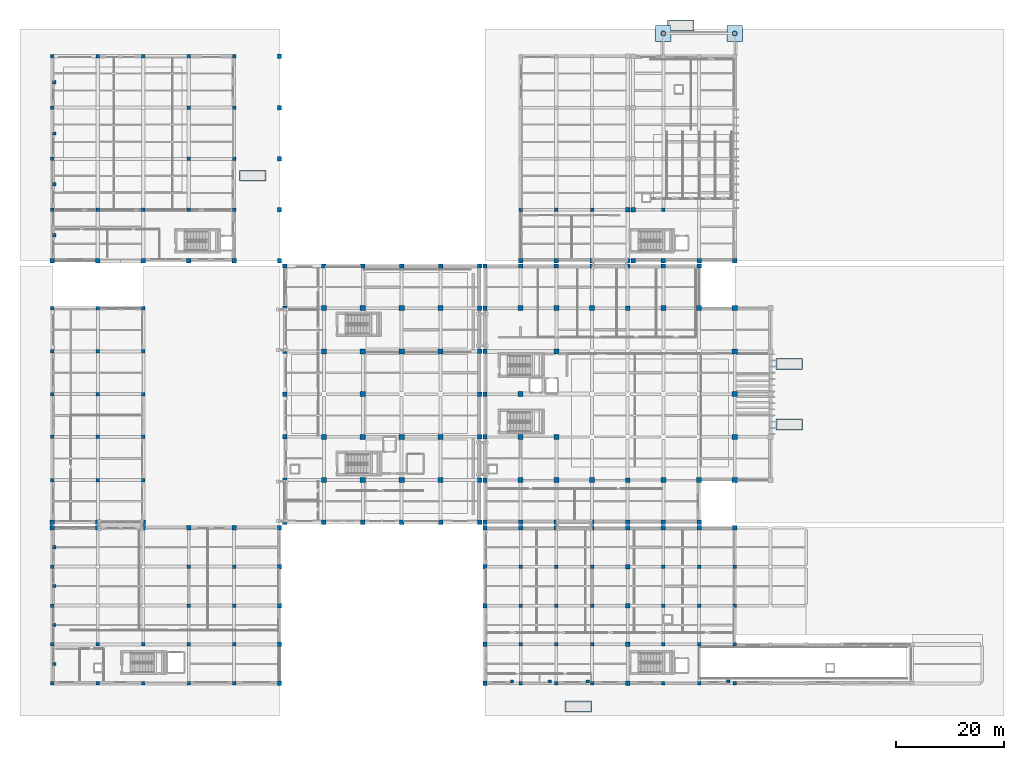
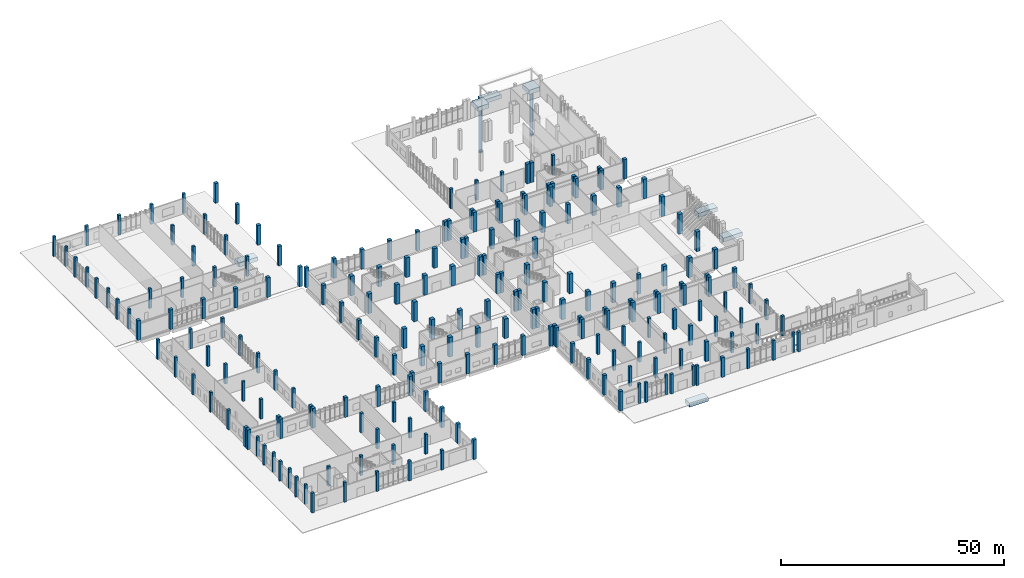
# One storey, part 1 of 79: 215 columns, 7 footings, 2 piles.
"""IFC4 building model written with IfcOpenShell, lengths in metres."""

from ifc_helpers import new_model, si_unit, direction, frame, origin, origin_2d, place, context, subcontext, project, spatial, polyline, rectangle, circle, outline, extrude, material, material_profile, profile_set, type_object, element, save


model = new_model("IFC4")

# Units and contexts
model_context = context("Model", 3, precision=1e-05, world=origin(), true_north=direction((0.0, 1.0)))
body_context = subcontext(model_context, "Body", "Model", "MODEL_VIEW")
ifc_project = project(units=[si_unit("LENGTHUNIT", "METRE"), si_unit("AREAUNIT", "SQUARE_METRE"), si_unit("VOLUMEUNIT", "CUBIC_METRE"), si_unit("PLANEANGLEUNIT", "RADIAN"), si_unit("MASSUNIT", "GRAM", prefix="KILO")], contexts=[model_context])

# Site, building, storey
site_placement = place(None, origin())
site = spatial("IfcSite", under=ifc_project, at=site_placement, CompositionType="ELEMENT")
building_placement = place(site_placement, origin())
building = spatial("IfcBuilding", under=site, at=building_placement, Name="Kelarvand Opera House", CompositionType="ELEMENT")
storey_placement = place(building_placement, origin())
storey = spatial("IfcBuildingStorey", under=building, at=storey_placement, Name="L00", CompositionType="ELEMENT", Elevation=0.0)

# Piles
ifc_material = material(Name="Concrete C40/50", Category="concrete")
ifc_material_profile_1 = material_profile(ifc_material, circle(Radius=0.449951171875, at=origin_2d()), Name="BP 900", Category="concrete")
ifc_profile_set_1 = profile_set([ifc_material_profile_1], Name="Concrete C40/50")
pile_type = type_object("IfcPileType", Name="Bored Pile 900 Concrete C40/50", PredefinedType="BORED", material=ifc_profile_set_1)
for number, where, z_axis, x_axis, name in (
    (1, (122.0, 129.199951171875, -1.10009765625), (0.0, 0.0, -1.0), (1.0, 0.0, 0.0), "V5 Bored Pile 301"),
    (2, (135.199951171875, 129.199951171875, -1.10009765625), (0.0, 0.0, -1.0), (1.0, 0.0, 0.0), "V5 Bored Pile 302"),
):
    element("IfcPile", number, at=place(storey_placement, frame(where, z_axis=z_axis, x_axis=x_axis)), inside=storey, type_object=pile_type, Name=name, PredefinedType="BORED", context=body_context, shape_type="SweptSolid", body=[
        extrude(circle(Radius=0.449951171875, at=origin_2d()), origin(), (0.0, 0.0, 1.0), 12.60009765625),
    ])

# Footings
footing_type_1 = type_object("IfcFootingType", Name="Perimeter Strip Footing 750x900 Concrete C40/50", PredefinedType="STRIP_FOOTING", material=ifc_material)
footing_1_placement = place(storey_placement, frame((0.0, 0.0, -1.260009765625)))
element("IfcFooting", 3, at=footing_1_placement, inside=storey, type_object=footing_type_1, Name="Accessible Ramp Foundation Plinth 1", PredefinedType="STRIP_FOOTING", context=body_context, shape_type="SweptSolid", body=[
    extrude(outline(polyline([(142.800048828125, 55.89990234375), (147.699951171875, 55.89990234375), (147.699951171875, 57.89990234375), (142.800048828125, 57.89990234375), (142.800048828125, 55.89990234375)])), origin(), (0.0, 0.0, 1.0), 1.080078125),
])
footing_2_placement = place(storey_placement, frame((0.0, 0.0, -1.260009765625)))
element("IfcFooting", 4, at=footing_2_placement, inside=storey, type_object=footing_type_1, Name="Accessible Ramp Foundation Plinth 2", PredefinedType="STRIP_FOOTING", context=body_context, shape_type="SweptSolid", body=[
    extrude(outline(polyline([(142.800048828125, 67.10009765625), (147.699951171875, 67.10009765625), (147.699951171875, 69.10009765625), (142.800048828125, 69.10009765625), (142.800048828125, 67.10009765625)])), origin(), (0.0, 0.0, 1.0), 1.080078125),
])
footing_3_placement = place(storey_placement, frame((0.0, 0.0, -1.260009765625)))
element("IfcFooting", 5, at=footing_3_placement, inside=storey, type_object=footing_type_1, Name="Accessible Ramp Foundation Plinth 3", PredefinedType="STRIP_FOOTING", context=body_context, shape_type="SweptSolid", body=[
    extrude(outline(polyline([(122.800048828125, 129.699951171875), (127.699951171875, 129.699951171875), (127.699951171875, 131.699951171875), (122.800048828125, 131.699951171875), (122.800048828125, 129.699951171875)])), origin(), (0.0, 0.0, 1.0), 1.080078125),
])
footing_4_placement = place(storey_placement, frame((0.0, 0.0, -1.260009765625)))
element("IfcFooting", 6, at=footing_4_placement, inside=storey, type_object=footing_type_1, Name="Accessible Ramp Foundation Plinth 4", PredefinedType="STRIP_FOOTING", context=body_context, shape_type="SweptSolid", body=[
    extrude(outline(polyline([(43.60009765625, 101.89990234375), (48.5, 101.89990234375), (48.5, 103.89990234375), (43.60009765625, 103.89990234375), (43.60009765625, 101.89990234375)])), origin(), (0.0, 0.0, 1.0), 1.080078125),
])
footing_5_placement = place(storey_placement, frame((0.0, 0.0, -1.260009765625)))
element("IfcFooting", 7, at=footing_5_placement, inside=storey, type_object=footing_type_1, Name="Accessible Ramp Foundation Plinth 5", PredefinedType="STRIP_FOOTING", context=body_context, shape_type="SweptSolid", body=[
    extrude(outline(polyline([(103.800048828125, 3.699951171875), (108.699951171875, 3.699951171875), (108.699951171875, 5.699951171875), (103.800048828125, 5.699951171875), (103.800048828125, 3.699951171875)])), origin(), (0.0, 0.0, 1.0), 1.080078125),
])
footing_type_2 = type_object("IfcFootingType", Name="Pile Cap 2900x2900x1200 PC-29", PredefinedType="PILE_CAP", material=ifc_material)
for number, where, z_axis, x_axis, name in (
    (8, (122.0, 129.199951171875, -1.2001953125), (0.0, 0.0, 1.0), (1.0, 0.0, 0.0), "V5 Pile Cap PC-29 (276)"),
    (9, (135.199951171875, 129.199951171875, -1.2001953125), (0.0, 0.0, 1.0), (1.0, 0.0, 0.0), "V5 Pile Cap PC-29 (277)"),
):
    element("IfcFooting", number, at=place(storey_placement, frame(where, z_axis=z_axis, x_axis=x_axis)), inside=storey, type_object=footing_type_2, Name=name, PredefinedType="PILE_CAP", context=body_context, shape_type="SweptSolid", body=[
        extrude(rectangle(XDim=2.89990234375, YDim=2.89990234375, at=origin_2d()), origin(), (0.0, 0.0, 1.0), 1.199951171875),
    ])

# Columns
ifc_material_profile_2 = material_profile(ifc_material, rectangle(XDim=0.64990234375, YDim=0.64990234375, at=origin_2d()), Name="RC 650x650", Category="concrete")
ifc_profile_set_2 = profile_set([ifc_material_profile_2], Name="Concrete C40/50")
column_type_1 = type_object("IfcColumnType", Name="Structural Column RC 650x650 (Ext) COL-650E", PredefinedType="COLUMN", material=ifc_profile_set_2)
for number, where, z_axis, x_axis, name in (
    (10, (9.0, 96.60009765625, 0.0), (0.0, 0.0, 1.0), (1.0, 0.0, 0.0), "V3 Column COL-650E at L00"),
    (11, (9.0, 106.0, 0.0), (0.0, 0.0, 1.0), (1.0, 0.0, 0.0), "V3 Column COL-650E at L00"),
    (12, (9.0, 115.5, 0.0), (0.0, 0.0, 1.0), (1.0, 0.0, 0.0), "V3 Column COL-650E at L00"),
    (13, (9.0, 125.0, 0.0), (0.0, 0.0, 1.0), (1.0, 0.0, 0.0), "V3 Column COL-650E at L00"),
    (14, (17.39990234375, 125.0, 0.0), (0.0, 0.0, 1.0), (1.0, 0.0, 0.0), "V3 Column COL-650E at L00"),
    (15, (25.800048828125, 125.0, 0.0), (0.0, 0.0, 1.0), (1.0, 0.0, 0.0), "V3 Column COL-650E at L00"),
    (16, (34.199951171875, 125.0, 0.0), (0.0, 0.0, 1.0), (1.0, 0.0, 0.0), "V3 Column COL-650E at L00"),
    (17, (42.60009765625, 125.0, 0.0), (0.0, 0.0, 1.0), (1.0, 0.0, 0.0), "V3 Column COL-650E at L00"),
    (18, (9.0, 9.0, 0.0), (0.0, 0.0, 1.0), (1.0, 0.0, 0.0), "V4 Column COL-650E at L00"),
    (19, (9.0, 16.199951171875, 0.0), (0.0, 0.0, 1.0), (1.0, 0.0, 0.0), "V4 Column COL-650E at L00"),
    (20, (9.0, 23.39990234375, 0.0), (0.0, 0.0, 1.0), (1.0, 0.0, 0.0), "V4 Column COL-650E at L00"),
    (21, (9.0, 30.60009765625, 0.0), (0.0, 0.0, 1.0), (1.0, 0.0, 0.0), "V4 Column COL-650E at L00"),
    (22, (9.0, 46.60009765625, 0.0), (0.0, 0.0, 1.0), (1.0, 0.0, 0.0), "V4 Column COL-650E at L00"),
    (23, (9.0, 54.60009765625, 0.0), (0.0, 0.0, 1.0), (1.0, 0.0, 0.0), "V4 Column COL-650E at L00"),
    (24, (9.0, 62.5, 0.0), (0.0, 0.0, 1.0), (1.0, 0.0, 0.0), "V4 Column COL-650E at L00"),
    (25, (9.0, 70.39990234375, 0.0), (0.0, 0.0, 1.0), (1.0, 0.0, 0.0), "V4 Column COL-650E at L00"),
    (26, (9.0, 78.39990234375, 0.0), (0.0, 0.0, 1.0), (1.0, 0.0, 0.0), "V4 Column COL-650E at L00"),
    (27, (17.39990234375, 9.0, 0.0), (0.0, 0.0, 1.0), (1.0, 0.0, 0.0), "V4 Column COL-650E at L00"),
    (28, (25.800048828125, 9.0, 0.0), (0.0, 0.0, 1.0), (1.0, 0.0, 0.0), "V4 Column COL-650E at L00"),
    (29, (34.199951171875, 9.0, 0.0), (0.0, 0.0, 1.0), (1.0, 0.0, 0.0), "V4 Column COL-650E at L00"),
    (30, (42.60009765625, 9.0, 0.0), (0.0, 0.0, 1.0), (1.0, 0.0, 0.0), "V4 Column COL-650E at L00"),
    (31, (95.60009765625, 96.60009765625, 0.0), (0.0, 0.0, 1.0), (1.0, 0.0, 0.0), "V5 Column COL-650E at L00"),
    (32, (95.60009765625, 9.0, 0.0), (0.0, 0.0, 1.0), (1.0, 0.0, 0.0), "V6 Column COL-650E at L00"),
    (33, (102.199951171875, 9.0, 0.0), (0.0, 0.0, 1.0), (1.0, 0.0, 0.0), "V6 Column COL-650E at L00"),
    (34, (108.800048828125, 9.0, 0.0), (0.0, 0.0, 1.0), (1.0, 0.0, 0.0), "V6 Column COL-650E at L00"),
    (35, (122.0, 9.0, 0.0), (0.0, 0.0, 1.0), (1.0, 0.0, 0.0), "V6 Column COL-650E at L00"),
    (36, (128.60009765625, 9.0, 0.0), (0.0, 0.0, 1.0), (1.0, 0.0, 0.0), "V6 Column COL-650E at L00"),
    (37, (135.199951171875, 9.0, 0.0), (0.0, 0.0, 1.0), (1.0, 0.0, 0.0), "V6 Column COL-650E at L00"),
):
    element("IfcColumn", number, at=place(storey_placement, frame(where, z_axis=z_axis, x_axis=x_axis)), inside=storey, type_object=column_type_1, Name=name, PredefinedType="COLUMN", context=body_context, shape_type="SweptSolid", body=[
        extrude(rectangle(XDim=0.64990234375, YDim=0.64990234375, at=origin_2d()), origin(), (0.0, 0.0, 1.0), 5.39990234375),
    ])
ifc_material_profile_3 = material_profile(ifc_material, rectangle(XDim=0.64990234375, YDim=0.64990234375, at=origin_2d()), Name="RC 650x650", Category="concrete")
ifc_profile_set_3 = profile_set([ifc_material_profile_3], Name="Concrete C40/50")
column_type_2 = type_object("IfcColumnType", Name="Structural Column RC 650x650 (Int) COL-650", PredefinedType="COLUMN", material=ifc_profile_set_3)
for number, where, z_axis, x_axis, name in (
    (38, (17.39990234375, 96.60009765625, 0.0), (0.0, 0.0, 1.0), (1.0, 0.0, 0.0), "V3 Column COL-650 at L00"),
    (39, (25.800048828125, 96.60009765625, 0.0), (0.0, 0.0, 1.0), (1.0, 0.0, 0.0), "V3 Column COL-650 at L00"),
    (40, (34.199951171875, 96.60009765625, 0.0), (0.0, 0.0, 1.0), (1.0, 0.0, 0.0), "V3 Column COL-650 at L00"),
    (41, (34.199951171875, 106.0, 0.0), (0.0, 0.0, 1.0), (1.0, 0.0, 0.0), "V3 Column COL-650 at L00"),
    (42, (34.199951171875, 115.5, 0.0), (0.0, 0.0, 1.0), (1.0, 0.0, 0.0), "V3 Column COL-650 at L00"),
    (43, (42.60009765625, 96.60009765625, 0.0), (0.0, 0.0, 1.0), (1.0, 0.0, 0.0), "V3 Column COL-650 at L00"),
    (44, (42.60009765625, 106.0, 0.0), (0.0, 0.0, 1.0), (1.0, 0.0, 0.0), "V3 Column COL-650 at L00"),
    (45, (42.60009765625, 115.5, 0.0), (0.0, 0.0, 1.0), (1.0, 0.0, 0.0), "V3 Column COL-650 at L00"),
    (46, (17.39990234375, 16.199951171875, 0.0), (0.0, 0.0, 1.0), (1.0, 0.0, 0.0), "V4 Column COL-650 at L00"),
    (47, (17.39990234375, 46.60009765625, 0.0), (0.0, 0.0, 1.0), (1.0, 0.0, 0.0), "V4 Column COL-650 at L00"),
    (48, (17.39990234375, 54.60009765625, 0.0), (0.0, 0.0, 1.0), (1.0, 0.0, 0.0), "V4 Column COL-650 at L00"),
    (49, (17.39990234375, 62.5, 0.0), (0.0, 0.0, 1.0), (1.0, 0.0, 0.0), "V4 Column COL-650 at L00"),
    (50, (17.39990234375, 70.39990234375, 0.0), (0.0, 0.0, 1.0), (1.0, 0.0, 0.0), "V4 Column COL-650 at L00"),
    (51, (17.39990234375, 78.39990234375, 0.0), (0.0, 0.0, 1.0), (1.0, 0.0, 0.0), "V4 Column COL-650 at L00"),
    (52, (25.800048828125, 16.199951171875, 0.0), (0.0, 0.0, 1.0), (1.0, 0.0, 0.0), "V4 Column COL-650 at L00"),
    (53, (25.800048828125, 46.60009765625, 0.0), (0.0, 0.0, 1.0), (1.0, 0.0, 0.0), "V4 Column COL-650 at L00"),
    (54, (25.800048828125, 54.60009765625, 0.0), (0.0, 0.0, 1.0), (1.0, 0.0, 0.0), "V4 Column COL-650 at L00"),
    (55, (25.800048828125, 62.5, 0.0), (0.0, 0.0, 1.0), (1.0, 0.0, 0.0), "V4 Column COL-650 at L00"),
    (56, (25.800048828125, 70.39990234375, 0.0), (0.0, 0.0, 1.0), (1.0, 0.0, 0.0), "V4 Column COL-650 at L00"),
    (57, (25.800048828125, 78.39990234375, 0.0), (0.0, 0.0, 1.0), (1.0, 0.0, 0.0), "V4 Column COL-650 at L00"),
    (58, (34.199951171875, 16.199951171875, 0.0), (0.0, 0.0, 1.0), (1.0, 0.0, 0.0), "V4 Column COL-650 at L00"),
    (59, (34.199951171875, 23.39990234375, 0.0), (0.0, 0.0, 1.0), (1.0, 0.0, 0.0), "V4 Column COL-650 at L00"),
    (60, (34.199951171875, 30.60009765625, 0.0), (0.0, 0.0, 1.0), (1.0, 0.0, 0.0), "V4 Column COL-650 at L00"),
    (61, (42.60009765625, 16.199951171875, 0.0), (0.0, 0.0, 1.0), (1.0, 0.0, 0.0), "V4 Column COL-650 at L00"),
    (62, (42.60009765625, 23.39990234375, 0.0), (0.0, 0.0, 1.0), (1.0, 0.0, 0.0), "V4 Column COL-650 at L00"),
    (63, (42.60009765625, 30.60009765625, 0.0), (0.0, 0.0, 1.0), (1.0, 0.0, 0.0), "V4 Column COL-650 at L00"),
    (64, (102.199951171875, 96.60009765625, 0.0), (0.0, 0.0, 1.0), (1.0, 0.0, 0.0), "V5 Column COL-650 at L00"),
    (65, (108.800048828125, 96.60009765625, 0.0), (0.0, 0.0, 1.0), (1.0, 0.0, 0.0), "V5 Column COL-650 at L00"),
    (66, (122.0, 96.60009765625, 0.0), (0.0, 0.0, 1.0), (1.0, 0.0, 0.0), "V5 Column COL-650 at L00"),
    (67, (95.60009765625, 16.199951171875, 0.0), (0.0, 0.0, 1.0), (1.0, 0.0, 0.0), "V6 Column COL-650 at L00"),
    (68, (95.60009765625, 23.39990234375, 0.0), (0.0, 0.0, 1.0), (1.0, 0.0, 0.0), "V6 Column COL-650 at L00"),
    (69, (95.60009765625, 30.60009765625, 0.0), (0.0, 0.0, 1.0), (1.0, 0.0, 0.0), "V6 Column COL-650 at L00"),
    (70, (102.199951171875, 16.199951171875, 0.0), (0.0, 0.0, 1.0), (1.0, 0.0, 0.0), "V6 Column COL-650 at L00"),
    (71, (102.199951171875, 23.39990234375, 0.0), (0.0, 0.0, 1.0), (1.0, 0.0, 0.0), "V6 Column COL-650 at L00"),
    (72, (102.199951171875, 30.60009765625, 0.0), (0.0, 0.0, 1.0), (1.0, 0.0, 0.0), "V6 Column COL-650 at L00"),
    (73, (108.800048828125, 16.199951171875, 0.0), (0.0, 0.0, 1.0), (1.0, 0.0, 0.0), "V6 Column COL-650 at L00"),
    (74, (108.800048828125, 23.39990234375, 0.0), (0.0, 0.0, 1.0), (1.0, 0.0, 0.0), "V6 Column COL-650 at L00"),
    (75, (108.800048828125, 30.60009765625, 0.0), (0.0, 0.0, 1.0), (1.0, 0.0, 0.0), "V6 Column COL-650 at L00"),
    (76, (122.0, 16.199951171875, 0.0), (0.0, 0.0, 1.0), (1.0, 0.0, 0.0), "V6 Column COL-650 at L00"),
    (77, (122.0, 23.39990234375, 0.0), (0.0, 0.0, 1.0), (1.0, 0.0, 0.0), "V6 Column COL-650 at L00"),
    (78, (122.0, 30.60009765625, 0.0), (0.0, 0.0, 1.0), (1.0, 0.0, 0.0), "V6 Column COL-650 at L00"),
    (79, (128.60009765625, 16.199951171875, 0.0), (0.0, 0.0, 1.0), (1.0, 0.0, 0.0), "V6 Column COL-650 at L00"),
    (80, (128.60009765625, 23.39990234375, 0.0), (0.0, 0.0, 1.0), (1.0, 0.0, 0.0), "V6 Column COL-650 at L00"),
    (81, (128.60009765625, 30.60009765625, 0.0), (0.0, 0.0, 1.0), (1.0, 0.0, 0.0), "V6 Column COL-650 at L00"),
    (82, (135.199951171875, 16.199951171875, 0.0), (0.0, 0.0, 1.0), (1.0, 0.0, 0.0), "V6 Column COL-650 at L00"),
    (83, (135.199951171875, 23.39990234375, 0.0), (0.0, 0.0, 1.0), (1.0, 0.0, 0.0), "V6 Column COL-650 at L00"),
    (84, (135.199951171875, 30.60009765625, 0.0), (0.0, 0.0, 1.0), (1.0, 0.0, 0.0), "V6 Column COL-650 at L00"),
):
    element("IfcColumn", number, at=place(storey_placement, frame(where, z_axis=z_axis, x_axis=x_axis)), inside=storey, type_object=column_type_2, Name=name, PredefinedType="COLUMN", context=body_context, shape_type="SweptSolid", body=[
        extrude(rectangle(XDim=0.64990234375, YDim=0.64990234375, at=origin_2d()), origin(), (0.0, 0.0, 1.0), 5.39990234375),
    ])
ifc_material_profile_4 = material_profile(ifc_material, rectangle(XDim=0.820068359375, YDim=0.820068359375, at=origin_2d()), Name="RC 820x820", Category="concrete")
ifc_profile_set_4 = profile_set([ifc_material_profile_4], Name="Concrete C40/50")
column_type_3 = type_object("IfcColumnType", Name="Structural Column RC 820x820 (Int) COL-820", PredefinedType="COLUMN", material=ifc_profile_set_4)
for number, where, z_axis, x_axis, name in (
    (85, (89.0, 38.800048828125, 0.0), (0.0, 0.0, 1.0), (1.0, 0.0, 0.0), "V1 Column COL-820 at L00"),
    (86, (89.0, 46.60009765625, 0.0), (0.0, 0.0, 1.0), (1.0, 0.0, 0.0), "V1 Column COL-820 at L00"),
    (87, (89.0, 54.60009765625, 0.0), (0.0, 0.0, 1.0), (1.0, 0.0, 0.0), "V1 Column COL-820 at L00"),
    (88, (89.0, 62.5, 0.0), (0.0, 0.0, 1.0), (1.0, 0.0, 0.0), "V1 Column COL-820 at L00"),
    (89, (89.0, 70.39990234375, 0.0), (0.0, 0.0, 1.0), (1.0, 0.0, 0.0), "V1 Column COL-820 at L00"),
    (90, (89.0, 78.39990234375, 0.0), (0.0, 0.0, 1.0), (1.0, 0.0, 0.0), "V1 Column COL-820 at L00"),
    (91, (89.0, 86.199951171875, 0.0), (0.0, 0.0, 1.0), (1.0, 0.0, 0.0), "V1 Column COL-820 at L00"),
    (92, (95.60009765625, 38.800048828125, 0.0), (0.0, 0.0, 1.0), (1.0, 0.0, 0.0), "V1 Column COL-820 at L00"),
    (93, (95.60009765625, 86.199951171875, 0.0), (0.0, 0.0, 1.0), (1.0, 0.0, 0.0), "V1 Column COL-820 at L00"),
    (94, (102.199951171875, 38.800048828125, 0.0), (0.0, 0.0, 1.0), (1.0, 0.0, 0.0), "V1 Column COL-820 at L00"),
    (95, (102.199951171875, 86.199951171875, 0.0), (0.0, 0.0, 1.0), (1.0, 0.0, 0.0), "V1 Column COL-820 at L00"),
    (96, (108.800048828125, 38.800048828125, 0.0), (0.0, 0.0, 1.0), (1.0, 0.0, 0.0), "V1 Column COL-820 at L00"),
    (97, (108.800048828125, 86.199951171875, 0.0), (0.0, 0.0, 1.0), (1.0, 0.0, 0.0), "V1 Column COL-820 at L00"),
    (98, (115.39990234375, 38.800048828125, 0.0), (0.0, 0.0, 1.0), (1.0, 0.0, 0.0), "V1 Column COL-820 at L00"),
    (99, (115.39990234375, 46.60009765625, 0.0), (0.0, 0.0, 1.0), (1.0, 0.0, 0.0), "V1 Column COL-820 at L00"),
    (100, (115.39990234375, 78.39990234375, 0.0), (0.0, 0.0, 1.0), (1.0, 0.0, 0.0), "V1 Column COL-820 at L00"),
    (101, (115.39990234375, 86.199951171875, 0.0), (0.0, 0.0, 1.0), (1.0, 0.0, 0.0), "V1 Column COL-820 at L00"),
    (102, (122.0, 38.800048828125, 0.0), (0.0, 0.0, 1.0), (1.0, 0.0, 0.0), "V1 Column COL-820 at L00"),
    (103, (122.0, 86.199951171875, 0.0), (0.0, 0.0, 1.0), (1.0, 0.0, 0.0), "V1 Column COL-820 at L00"),
    (104, (128.60009765625, 38.800048828125, 0.0), (0.0, 0.0, 1.0), (1.0, 0.0, 0.0), "V1 Column COL-820 at L00"),
    (105, (128.60009765625, 86.199951171875, 0.0), (0.0, 0.0, 1.0), (1.0, 0.0, 0.0), "V1 Column COL-820 at L00"),
    (106, (52.0, 38.800048828125, 0.0), (0.0, 0.0, 1.0), (1.0, 0.0, 0.0), "V2 Column COL-820 at L00"),
    (107, (52.0, 46.60009765625, 0.0), (0.0, 0.0, 1.0), (1.0, 0.0, 0.0), "V2 Column COL-820 at L00"),
    (108, (52.0, 54.60009765625, 0.0), (0.0, 0.0, 1.0), (1.0, 0.0, 0.0), "V2 Column COL-820 at L00"),
    (109, (52.0, 62.5, 0.0), (0.0, 0.0, 1.0), (1.0, 0.0, 0.0), "V2 Column COL-820 at L00"),
    (110, (52.0, 70.39990234375, 0.0), (0.0, 0.0, 1.0), (1.0, 0.0, 0.0), "V2 Column COL-820 at L00"),
    (111, (52.0, 78.39990234375, 0.0), (0.0, 0.0, 1.0), (1.0, 0.0, 0.0), "V2 Column COL-820 at L00"),
    (112, (52.0, 86.199951171875, 0.0), (0.0, 0.0, 1.0), (1.0, 0.0, 0.0), "V2 Column COL-820 at L00"),
    (113, (59.199951171875, 38.800048828125, 0.0), (0.0, 0.0, 1.0), (1.0, 0.0, 0.0), "V2 Column COL-820 at L00"),
    (114, (59.199951171875, 86.199951171875, 0.0), (0.0, 0.0, 1.0), (1.0, 0.0, 0.0), "V2 Column COL-820 at L00"),
    (115, (66.39990234375, 38.800048828125, 0.0), (0.0, 0.0, 1.0), (1.0, 0.0, 0.0), "V2 Column COL-820 at L00"),
    (116, (66.39990234375, 86.199951171875, 0.0), (0.0, 0.0, 1.0), (1.0, 0.0, 0.0), "V2 Column COL-820 at L00"),
    (117, (73.60009765625, 38.800048828125, 0.0), (0.0, 0.0, 1.0), (1.0, 0.0, 0.0), "V2 Column COL-820 at L00"),
    (118, (73.60009765625, 86.199951171875, 0.0), (0.0, 0.0, 1.0), (1.0, 0.0, 0.0), "V2 Column COL-820 at L00"),
    (119, (80.800048828125, 38.800048828125, 0.0), (0.0, 0.0, 1.0), (1.0, 0.0, 0.0), "V2 Column COL-820 at L00"),
    (120, (80.800048828125, 86.199951171875, 0.0), (0.0, 0.0, 1.0), (1.0, 0.0, 0.0), "V2 Column COL-820 at L00"),
    (121, (88.0, 38.800048828125, 0.0), (0.0, 0.0, 1.0), (1.0, 0.0, 0.0), "V2 Column COL-820 at L00"),
    (122, (88.0, 46.60009765625, 0.0), (0.0, 0.0, 1.0), (1.0, 0.0, 0.0), "V2 Column COL-820 at L00"),
    (123, (88.0, 54.60009765625, 0.0), (0.0, 0.0, 1.0), (1.0, 0.0, 0.0), "V2 Column COL-820 at L00"),
    (124, (88.0, 62.5, 0.0), (0.0, 0.0, 1.0), (1.0, 0.0, 0.0), "V2 Column COL-820 at L00"),
    (125, (88.0, 70.39990234375, 0.0), (0.0, 0.0, 1.0), (1.0, 0.0, 0.0), "V2 Column COL-820 at L00"),
    (126, (88.0, 78.39990234375, 0.0), (0.0, 0.0, 1.0), (1.0, 0.0, 0.0), "V2 Column COL-820 at L00"),
    (127, (88.0, 86.199951171875, 0.0), (0.0, 0.0, 1.0), (1.0, 0.0, 0.0), "V2 Column COL-820 at L00"),
    (128, (9.0, 87.199951171875, 0.0), (0.0, 0.0, 1.0), (1.0, 0.0, 0.0), "V3 Column COL-820 at L00"),
    (129, (17.39990234375, 87.199951171875, 0.0), (0.0, 0.0, 1.0), (1.0, 0.0, 0.0), "V3 Column COL-820 at L00"),
    (130, (25.800048828125, 87.199951171875, 0.0), (0.0, 0.0, 1.0), (1.0, 0.0, 0.0), "V3 Column COL-820 at L00"),
    (131, (34.199951171875, 87.199951171875, 0.0), (0.0, 0.0, 1.0), (1.0, 0.0, 0.0), "V3 Column COL-820 at L00"),
    (132, (42.60009765625, 87.199951171875, 0.0), (0.0, 0.0, 1.0), (1.0, 0.0, 0.0), "V3 Column COL-820 at L00"),
    (133, (51.0, 87.199951171875, 0.0), (0.0, 0.0, 1.0), (1.0, 0.0, 0.0), "V3 Column COL-820 at L00"),
    (134, (51.0, 96.60009765625, 0.0), (0.0, 0.0, 1.0), (1.0, 0.0, 0.0), "V3 Column COL-820 at L00"),
    (135, (51.0, 106.0, 0.0), (0.0, 0.0, 1.0), (1.0, 0.0, 0.0), "V3 Column COL-820 at L00"),
    (136, (51.0, 115.5, 0.0), (0.0, 0.0, 1.0), (1.0, 0.0, 0.0), "V3 Column COL-820 at L00"),
    (137, (51.0, 125.0, 0.0), (0.0, 0.0, 1.0), (1.0, 0.0, 0.0), "V3 Column COL-820 at L00"),
    (138, (9.0, 37.800048828125, 0.0), (0.0, 0.0, 1.0), (1.0, 0.0, 0.0), "V4 Column COL-820 at L00"),
    (139, (9.0, 38.800048828125, 0.0), (0.0, 0.0, 1.0), (1.0, 0.0, 0.0), "V4 Column COL-820 at L00"),
    (140, (17.39990234375, 37.800048828125, 0.0), (0.0, 0.0, 1.0), (1.0, 0.0, 0.0), "V4 Column COL-820 at L00"),
    (141, (17.39990234375, 38.800048828125, 0.0), (0.0, 0.0, 1.0), (1.0, 0.0, 0.0), "V4 Column COL-820 at L00"),
    (142, (25.800048828125, 37.800048828125, 0.0), (0.0, 0.0, 1.0), (1.0, 0.0, 0.0), "V4 Column COL-820 at L00"),
    (143, (25.800048828125, 38.800048828125, 0.0), (0.0, 0.0, 1.0), (1.0, 0.0, 0.0), "V4 Column COL-820 at L00"),
    (144, (34.199951171875, 37.800048828125, 0.0), (0.0, 0.0, 1.0), (1.0, 0.0, 0.0), "V4 Column COL-820 at L00"),
    (145, (42.60009765625, 37.800048828125, 0.0), (0.0, 0.0, 1.0), (1.0, 0.0, 0.0), "V4 Column COL-820 at L00"),
    (146, (51.0, 9.0, 0.0), (0.0, 0.0, 1.0), (1.0, 0.0, 0.0), "V4 Column COL-820 at L00"),
    (147, (51.0, 16.199951171875, 0.0), (0.0, 0.0, 1.0), (1.0, 0.0, 0.0), "V4 Column COL-820 at L00"),
    (148, (51.0, 23.39990234375, 0.0), (0.0, 0.0, 1.0), (1.0, 0.0, 0.0), "V4 Column COL-820 at L00"),
    (149, (51.0, 30.60009765625, 0.0), (0.0, 0.0, 1.0), (1.0, 0.0, 0.0), "V4 Column COL-820 at L00"),
    (150, (51.0, 37.800048828125, 0.0), (0.0, 0.0, 1.0), (1.0, 0.0, 0.0), "V4 Column COL-820 at L00"),
    (151, (95.60009765625, 87.199951171875, 0.0), (0.0, 0.0, 1.0), (1.0, 0.0, 0.0), "V5 Column COL-820 at L00"),
    (152, (102.199951171875, 87.199951171875, 0.0), (0.0, 0.0, 1.0), (1.0, 0.0, 0.0), "V5 Column COL-820 at L00"),
    (153, (108.800048828125, 87.199951171875, 0.0), (0.0, 0.0, 1.0), (1.0, 0.0, 0.0), "V5 Column COL-820 at L00"),
    (154, (115.39990234375, 87.199951171875, 0.0), (0.0, 0.0, 1.0), (1.0, 0.0, 0.0), "V5 Column COL-820 at L00"),
    (155, (115.39990234375, 96.60009765625, 0.0), (0.0, 0.0, 1.0), (1.0, 0.0, 0.0), "V5 Column COL-820 at L00"),
    (156, (116.39990234375, 87.199951171875, 0.0), (0.0, 0.0, 1.0), (1.0, 0.0, 0.0), "V5 Column COL-820 at L00"),
    (157, (116.39990234375, 96.60009765625, 0.0), (0.0, 0.0, 1.0), (1.0, 0.0, 0.0), "V5 Column COL-820 at L00"),
    (158, (122.0, 87.199951171875, 0.0), (0.0, 0.0, 1.0), (1.0, 0.0, 0.0), "V5 Column COL-820 at L00"),
    (159, (128.60009765625, 87.199951171875, 0.0), (0.0, 0.0, 1.0), (1.0, 0.0, 0.0), "V5 Column COL-820 at L00"),
    (160, (135.199951171875, 87.199951171875, 0.0), (0.0, 0.0, 1.0), (1.0, 0.0, 0.0), "V5 Column COL-820 at L00"),
    (161, (89.0, 9.0, 0.0), (0.0, 0.0, 1.0), (1.0, 0.0, 0.0), "V6 Column COL-820 at L00"),
    (162, (89.0, 16.199951171875, 0.0), (0.0, 0.0, 1.0), (1.0, 0.0, 0.0), "V6 Column COL-820 at L00"),
    (163, (89.0, 23.39990234375, 0.0), (0.0, 0.0, 1.0), (1.0, 0.0, 0.0), "V6 Column COL-820 at L00"),
    (164, (89.0, 30.60009765625, 0.0), (0.0, 0.0, 1.0), (1.0, 0.0, 0.0), "V6 Column COL-820 at L00"),
    (165, (89.0, 37.800048828125, 0.0), (0.0, 0.0, 1.0), (1.0, 0.0, 0.0), "V6 Column COL-820 at L00"),
    (166, (95.60009765625, 37.800048828125, 0.0), (0.0, 0.0, 1.0), (1.0, 0.0, 0.0), "V6 Column COL-820 at L00"),
    (167, (102.199951171875, 37.800048828125, 0.0), (0.0, 0.0, 1.0), (1.0, 0.0, 0.0), "V6 Column COL-820 at L00"),
    (168, (108.800048828125, 37.800048828125, 0.0), (0.0, 0.0, 1.0), (1.0, 0.0, 0.0), "V6 Column COL-820 at L00"),
    (169, (115.39990234375, 9.0, 0.0), (0.0, 0.0, 1.0), (1.0, 0.0, 0.0), "V6 Column COL-820 at L00"),
    (170, (115.39990234375, 16.199951171875, 0.0), (0.0, 0.0, 1.0), (1.0, 0.0, 0.0), "V6 Column COL-820 at L00"),
    (171, (115.39990234375, 23.39990234375, 0.0), (0.0, 0.0, 1.0), (1.0, 0.0, 0.0), "V6 Column COL-820 at L00"),
    (172, (115.39990234375, 30.60009765625, 0.0), (0.0, 0.0, 1.0), (1.0, 0.0, 0.0), "V6 Column COL-820 at L00"),
    (173, (115.39990234375, 37.800048828125, 0.0), (0.0, 0.0, 1.0), (1.0, 0.0, 0.0), "V6 Column COL-820 at L00"),
    (174, (122.0, 37.800048828125, 0.0), (0.0, 0.0, 1.0), (1.0, 0.0, 0.0), "V6 Column COL-820 at L00"),
    (175, (128.60009765625, 37.800048828125, 0.0), (0.0, 0.0, 1.0), (1.0, 0.0, 0.0), "V6 Column COL-820 at L00"),
    (176, (135.199951171875, 37.800048828125, 0.0), (0.0, 0.0, 1.0), (1.0, 0.0, 0.0), "V6 Column COL-820 at L00"),
):
    element("IfcColumn", number, at=place(storey_placement, frame(where, z_axis=z_axis, x_axis=x_axis)), inside=storey, type_object=column_type_3, Name=name, PredefinedType="COLUMN", context=body_context, shape_type="SweptSolid", body=[
        extrude(rectangle(XDim=0.820068359375, YDim=0.820068359375, at=origin_2d()), origin(), (0.0, 0.0, 1.0), 5.39990234375),
    ])
ifc_material_profile_5 = material_profile(ifc_material, rectangle(XDim=0.949951171875, YDim=0.949951171875, at=origin_2d()), Name="RC 950x950", Category="concrete")
ifc_profile_set_5 = profile_set([ifc_material_profile_5], Name="Concrete C40/50")
column_type_4 = type_object("IfcColumnType", Name="Structural Column RC 950x950 (Int) COL-950", PredefinedType="COLUMN", material=ifc_profile_set_5)
for number, where, z_axis, x_axis, name in (
    (177, (95.60009765625, 46.60009765625, 0.0), (0.0, 0.0, 1.0), (1.0, 0.0, 0.0), "V1 Column COL-950 at L00"),
    (178, (95.60009765625, 54.60009765625, 0.0), (0.0, 0.0, 1.0), (1.0, 0.0, 0.0), "V1 Column COL-950 at L00"),
    (179, (95.60009765625, 62.5, 0.0), (0.0, 0.0, 1.0), (1.0, 0.0, 0.0), "V1 Column COL-950 at L00"),
    (180, (95.60009765625, 78.39990234375, 0.0), (0.0, 0.0, 1.0), (1.0, 0.0, 0.0), "V1 Column COL-950 at L00"),
    (181, (102.199951171875, 46.60009765625, 0.0), (0.0, 0.0, 1.0), (1.0, 0.0, 0.0), "V1 Column COL-950 at L00"),
    (182, (102.199951171875, 54.60009765625, 0.0), (0.0, 0.0, 1.0), (1.0, 0.0, 0.0), "V1 Column COL-950 at L00"),
    (183, (102.199951171875, 70.39990234375, 0.0), (0.0, 0.0, 1.0), (1.0, 0.0, 0.0), "V1 Column COL-950 at L00"),
    (184, (102.199951171875, 78.39990234375, 0.0), (0.0, 0.0, 1.0), (1.0, 0.0, 0.0), "V1 Column COL-950 at L00"),
    (185, (108.800048828125, 46.60009765625, 0.0), (0.0, 0.0, 1.0), (1.0, 0.0, 0.0), "V1 Column COL-950 at L00"),
    (186, (108.800048828125, 78.39990234375, 0.0), (0.0, 0.0, 1.0), (1.0, 0.0, 0.0), "V1 Column COL-950 at L00"),
    (187, (122.0, 46.60009765625, 0.0), (0.0, 0.0, 1.0), (1.0, 0.0, 0.0), "V1 Column COL-950 at L00"),
    (188, (122.0, 78.39990234375, 0.0), (0.0, 0.0, 1.0), (1.0, 0.0, 0.0), "V1 Column COL-950 at L00"),
    (189, (128.60009765625, 46.60009765625, 0.0), (0.0, 0.0, 1.0), (1.0, 0.0, 0.0), "V1 Column COL-950 at L00"),
    (190, (128.60009765625, 78.39990234375, 0.0), (0.0, 0.0, 1.0), (1.0, 0.0, 0.0), "V1 Column COL-950 at L00"),
    (191, (135.199951171875, 46.60009765625, 0.0), (0.0, 0.0, 1.0), (1.0, 0.0, 0.0), "V1 Column COL-950 at L00"),
    (192, (135.199951171875, 54.60009765625, 0.0), (0.0, 0.0, 1.0), (1.0, 0.0, 0.0), "V1 Column COL-950 at L00"),
    (193, (135.199951171875, 62.5, 0.0), (0.0, 0.0, 1.0), (1.0, 0.0, 0.0), "V1 Column COL-950 at L00"),
    (194, (135.199951171875, 70.39990234375, 0.0), (0.0, 0.0, 1.0), (1.0, 0.0, 0.0), "V1 Column COL-950 at L00"),
    (195, (135.199951171875, 78.39990234375, 0.0), (0.0, 0.0, 1.0), (1.0, 0.0, 0.0), "V1 Column COL-950 at L00"),
    (196, (59.199951171875, 46.60009765625, 0.0), (0.0, 0.0, 1.0), (1.0, 0.0, 0.0), "V2 Column COL-950 at L00"),
    (197, (59.199951171875, 54.60009765625, 0.0), (0.0, 0.0, 1.0), (1.0, 0.0, 0.0), "V2 Column COL-950 at L00"),
    (198, (59.199951171875, 70.39990234375, 0.0), (0.0, 0.0, 1.0), (1.0, 0.0, 0.0), "V2 Column COL-950 at L00"),
    (199, (59.199951171875, 78.39990234375, 0.0), (0.0, 0.0, 1.0), (1.0, 0.0, 0.0), "V2 Column COL-950 at L00"),
    (200, (66.39990234375, 46.60009765625, 0.0), (0.0, 0.0, 1.0), (1.0, 0.0, 0.0), "V2 Column COL-950 at L00"),
    (201, (66.39990234375, 54.60009765625, 0.0), (0.0, 0.0, 1.0), (1.0, 0.0, 0.0), "V2 Column COL-950 at L00"),
    (202, (66.39990234375, 62.5, 0.0), (0.0, 0.0, 1.0), (1.0, 0.0, 0.0), "V2 Column COL-950 at L00"),
    (203, (66.39990234375, 70.39990234375, 0.0), (0.0, 0.0, 1.0), (1.0, 0.0, 0.0), "V2 Column COL-950 at L00"),
    (204, (66.39990234375, 78.39990234375, 0.0), (0.0, 0.0, 1.0), (1.0, 0.0, 0.0), "V2 Column COL-950 at L00"),
    (205, (73.60009765625, 46.60009765625, 0.0), (0.0, 0.0, 1.0), (1.0, 0.0, 0.0), "V2 Column COL-950 at L00"),
    (206, (73.60009765625, 54.60009765625, 0.0), (0.0, 0.0, 1.0), (1.0, 0.0, 0.0), "V2 Column COL-950 at L00"),
    (207, (73.60009765625, 70.39990234375, 0.0), (0.0, 0.0, 1.0), (1.0, 0.0, 0.0), "V2 Column COL-950 at L00"),
    (208, (73.60009765625, 78.39990234375, 0.0), (0.0, 0.0, 1.0), (1.0, 0.0, 0.0), "V2 Column COL-950 at L00"),
    (209, (80.800048828125, 46.60009765625, 0.0), (0.0, 0.0, 1.0), (1.0, 0.0, 0.0), "V2 Column COL-950 at L00"),
    (210, (80.800048828125, 54.60009765625, 0.0), (0.0, 0.0, 1.0), (1.0, 0.0, 0.0), "V2 Column COL-950 at L00"),
    (211, (80.800048828125, 70.39990234375, 0.0), (0.0, 0.0, 1.0), (1.0, 0.0, 0.0), "V2 Column COL-950 at L00"),
    (212, (80.800048828125, 78.39990234375, 0.0), (0.0, 0.0, 1.0), (1.0, 0.0, 0.0), "V2 Column COL-950 at L00"),
):
    element("IfcColumn", number, at=place(storey_placement, frame(where, z_axis=z_axis, x_axis=x_axis)), inside=storey, type_object=column_type_4, Name=name, PredefinedType="COLUMN", context=body_context, shape_type="SweptSolid", body=[
        extrude(rectangle(XDim=0.949951171875, YDim=0.949951171875, at=origin_2d()), origin(), (0.0, 0.0, 1.0), 5.39990234375),
    ])
ifc_material_profile_6 = material_profile(ifc_material, rectangle(XDim=0.60009765625, YDim=0.60009765625, at=origin_2d()), Name="RC 600x600", Category="concrete")
ifc_profile_set_6 = profile_set([ifc_material_profile_6], Name="Concrete C40/50")
column_type_5 = type_object("IfcColumnType", Name="Structural Pilaster RC 600x600 (Ext) PIL-600E", PredefinedType="PILASTER", material=ifc_profile_set_6)
for number, where, z_axis, x_axis, name in (
    (213, (9.35009765625, 91.89990234375, 0.0), (0.0, 0.0, 1.0), (1.0, 0.0, 0.0), "V3 Facade Pilaster L00 1"),
    (214, (9.35009765625, 101.300048828125, 0.0), (0.0, 0.0, 1.0), (1.0, 0.0, 0.0), "V3 Facade Pilaster L00 2"),
    (215, (9.35009765625, 110.699951171875, 0.0), (0.0, 0.0, 1.0), (1.0, 0.0, 0.0), "V3 Facade Pilaster L00 3"),
    (216, (9.35009765625, 120.199951171875, 0.0), (0.0, 0.0, 1.0), (1.0, 0.0, 0.0), "V3 Facade Pilaster L00 4"),
    (217, (9.35009765625, 12.60009765625, 0.0), (0.0, 0.0, 1.0), (1.0, 0.0, 0.0), "V4 Facade Pilaster L00 5"),
    (218, (9.35009765625, 19.800048828125, 0.0), (0.0, 0.0, 1.0), (1.0, 0.0, 0.0), "V4 Facade Pilaster L00 6"),
    (219, (9.35009765625, 27.0, 0.0), (0.0, 0.0, 1.0), (1.0, 0.0, 0.0), "V4 Facade Pilaster L00 7"),
    (220, (9.35009765625, 34.199951171875, 0.0), (0.0, 0.0, 1.0), (1.0, 0.0, 0.0), "V4 Facade Pilaster L00 8"),
    (221, (94.0, 9.35009765625, 0.0), (0.0, 0.0, 1.0), (1.0, 0.0, 0.0), "V6 Facade Pilaster L00 9"),
    (222, (101.0, 9.35009765625, 0.0), (0.0, 0.0, 1.0), (1.0, 0.0, 0.0), "V6 Facade Pilaster L00 10"),
    (223, (108.0, 9.35009765625, 0.0), (0.0, 0.0, 1.0), (1.0, 0.0, 0.0), "V6 Facade Pilaster L00 11"),
    (224, (134.0, 9.35009765625, 0.0), (0.0, 0.0, 1.0), (1.0, 0.0, 0.0), "V6 Facade Pilaster L00 12"),
):
    element("IfcColumn", number, at=place(storey_placement, frame(where, z_axis=z_axis, x_axis=x_axis)), inside=storey, type_object=column_type_5, Name=name, PredefinedType="PILASTER", context=body_context, shape_type="SweptSolid", body=[
        extrude(rectangle(XDim=0.60009765625, YDim=0.60009765625, at=origin_2d()), origin(), (0.0, 0.0, 1.0), 5.39990234375),
    ])

save(model, "model.ifc")
